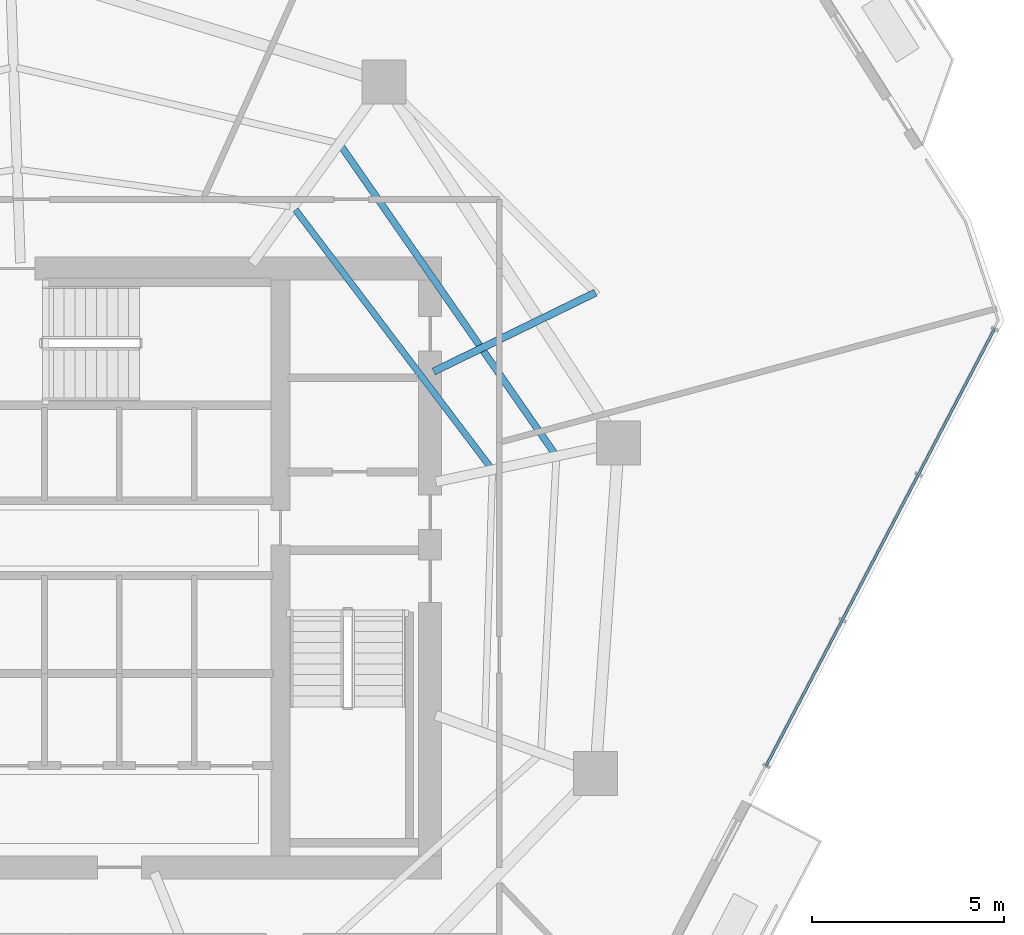
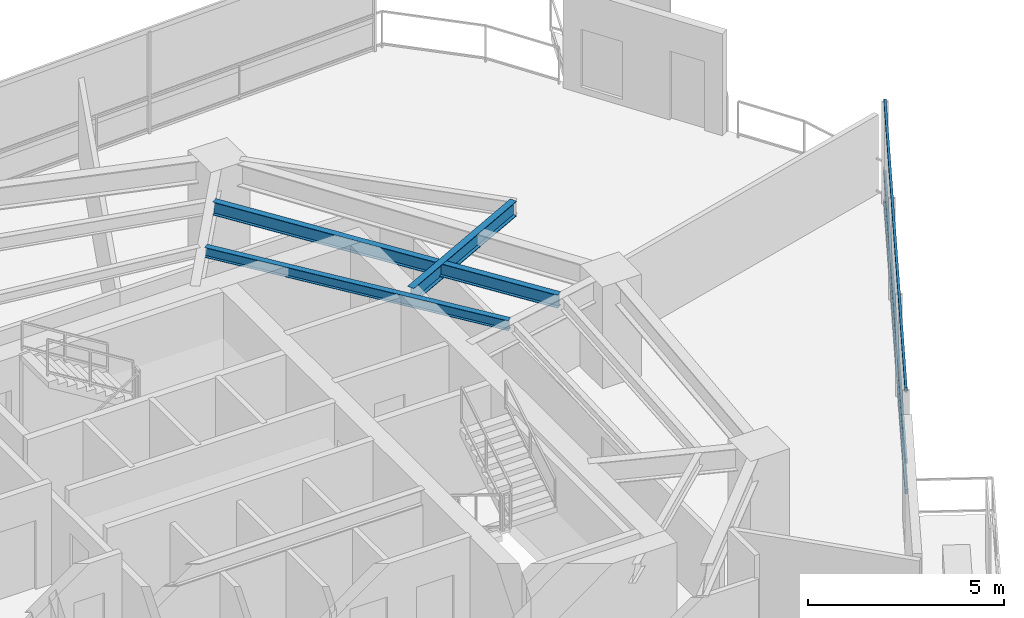
# One storey, part 12 of 25: 3 beams, 3 members, 1 element without a shape of its own.
"""IFC4 building model written with IfcOpenShell, lengths in metres."""

from ifc_helpers import new_model, si_unit, direction, frame, origin, origin_2d, place, context, subcontext, project, spatial, hollow_rectangle, i_section, extrude, material, layer, layer_set, material_profile, profile_set, type_object, element, aggregate, save


model = new_model("IFC4")

# Units and contexts
model_context = context("Model", 3, precision=1e-05, world=origin(), true_north=direction((0.0, 1.0)))
body_context = subcontext(model_context, "Body", "Model", "MODEL_VIEW")
ifc_project = project(units=[si_unit("LENGTHUNIT", "METRE"), si_unit("AREAUNIT", "SQUARE_METRE"), si_unit("VOLUMEUNIT", "CUBIC_METRE"), si_unit("PLANEANGLEUNIT", "RADIAN"), si_unit("MASSUNIT", "GRAM", prefix="KILO")], contexts=[model_context])

# Site, building, storey
site_placement = place(None, origin())
site = spatial("IfcSite", under=ifc_project, at=site_placement, CompositionType="ELEMENT")
building_placement = place(site_placement, origin())
building = spatial("IfcBuilding", under=site, at=building_placement, Name="Qarnah Convention Tower", CompositionType="ELEMENT")
storey_placement = place(building_placement, frame((0.0, 0.0, 76.35009765625)))
storey = spatial("IfcBuildingStorey", under=building, at=storey_placement, Name="L19", CompositionType="ELEMENT", Elevation=76.35009765625)

# Beams
ifc_material_1 = material(Name="Structural steel S355JR", Category="steel")
ifc_material_profile_1 = material_profile(ifc_material_1, i_section(OverallWidth=0.19189453125, OverallDepth=0.464111328125, WebThickness=0.010986328125, FlangeThickness=0.01806640625, at=origin_2d()), Name="W460X89")
ifc_profile_set_1 = profile_set([ifc_material_profile_1], Name="Structural steel S355JR")
beam_type_1 = type_object("IfcBeamType", Name="BM-CANT-W460A", PredefinedType="BEAM", material=ifc_profile_set_1)
beam_1_placement = place(storey_placement, frame((47.68994140625, 31.51611328125, 2.93798828125), z_axis=(0.898872044655, 0.438211190339, 0.0), x_axis=(-0.438211190339, 0.898872044655, 0.0)))
element("IfcBeam", 1, at=beam_1_placement, inside=storey, type_object=beam_type_1, Name="L19 beam BM-L19-CNT-01-2", PredefinedType="BEAM", context=body_context, shape_type="SweptSolid", body=[
    extrude(i_section(OverallWidth=0.19189453125, OverallDepth=0.464111328125, WebThickness=0.010986328125, FlangeThickness=0.01806640625, at=origin_2d()), origin(), (0.0, 0.0, 1.0), 4.687255859375),
])
ifc_material_profile_2 = material_profile(ifc_material_1, i_section(OverallWidth=0.166015625, OverallDepth=0.31201171875, WebThickness=0.007080078125, FlangeThickness=0.010986328125, at=origin_2d()), Name="W310X45")
ifc_profile_set_2 = profile_set([ifc_material_profile_2], Name="Structural steel S355JR")
beam_type_2 = type_object("IfcBeamType", Name="BM-JST-W310", PredefinedType="JOIST", material=ifc_profile_set_2)
beam_2_placement = place(storey_placement, frame((49.166015625, 29.027099609375, 3.013916015625), z_axis=(-0.60383365837, 0.797110351846, 0.0), x_axis=(-0.797110351846, -0.60383365837, 0.0)))
element("IfcBeam", 2, at=beam_2_placement, inside=storey, type_object=beam_type_2, Name="L19 joist BM-L19-IJST-01", PredefinedType="JOIST", context=body_context, shape_type="SweptSolid", body=[
    extrude(i_section(OverallWidth=0.166015625, OverallDepth=0.31201171875, WebThickness=0.007080078125, FlangeThickness=0.010986328125, at=origin_2d()), origin(), (0.0, 0.0, 1.0), 8.411376953125),
])
ifc_material_profile_3 = material_profile(ifc_material_1, i_section(OverallWidth=0.177978515625, OverallDepth=0.407958984375, WebThickness=0.008056640625, FlangeThickness=0.012939453125, at=origin_2d()), Name="W410X60")
ifc_profile_set_3 = profile_set([ifc_material_profile_3], Name="Structural steel S355JR")
beam_type_3 = type_object("IfcBeamType", Name="BM-JST-W410", PredefinedType="JOIST", material=ifc_profile_set_3)
beam_3_placement = place(storey_placement, frame((50.8369140625, 29.384033203125, 2.9658203125), z_axis=(-0.57026424233, 0.821461316144, 0.0), x_axis=(-0.821461316144, -0.57026424233, 0.0)))
element("IfcBeam", 3, at=beam_3_placement, inside=storey, type_object=beam_type_3, Name="L19 joist BM-L19-SJST-01", PredefinedType="JOIST", context=body_context, shape_type="SweptSolid", body=[
    extrude(i_section(OverallWidth=0.177978515625, OverallDepth=0.407958984375, WebThickness=0.008056640625, FlangeThickness=0.012939453125, at=origin_2d()), origin(), (0.0, 0.0, 1.0), 9.737548828125),
])

# Curtain wall, members
ifc_material_2 = material(Name="Tempered Low-E dark glass", Category="glass")
ifc_layer = layer(ifc_material_2, 0.169921875)
ifc_layer_set = layer_set([ifc_layer], Name="Tempered Low-E dark glass")
curtain_wall_type = type_object("IfcCurtainWallType", Name="CWS-02", PredefinedType="NOTDEFINED", material=ifc_layer_set)
curtain_wall_placement = place(storey_placement, origin())
curtain_wall = element("IfcCurtainWall", 4, at=curtain_wall_placement, inside=storey, type_object=curtain_wall_type, Name="L19 unitised curtain wall CW-L19-F1", PredefinedType="NOTDEFINED")
ifc_material_3 = material(Name="Black anodised aluminium", Category="aluminium")
ifc_material_profile_4 = material_profile(ifc_material_3, hollow_rectangle(XDim=0.06494140625, YDim=0.14990234375, WallThickness=0.00390625, at=origin_2d()), Name="TRN-65X150")
ifc_profile_set_4 = profile_set([ifc_material_profile_4], Name="Black anodised aluminium")
member_type = type_object("IfcMemberType", Name="TRN-T2", PredefinedType="USERDEFINED", material=ifc_profile_set_4)
member_1_placement = place(storey_placement, frame((62.303955078125, 32.6259765625, 0.0), z_axis=(-0.463307145112, -0.886197770979, 0.0), x_axis=(0.886197770979, -0.463307145112, 0.0)))
member_1 = element("IfcMember", 5, at=member_1_placement, type_object=member_type, Name="CW-L19-F1 transom 1", ObjectType="TRANSOM", PredefinedType="USERDEFINED", context=body_context, shape_type="SweptSolid", body=[
    extrude(hollow_rectangle(XDim=0.06494140625, YDim=0.14990234375, WallThickness=0.00390625, at=origin_2d()), origin(), (0.0, 0.0, 1.0), 12.84228515625),
])
member_2_placement = place(storey_placement, frame((62.303955078125, 32.6259765625, 0.949951171875), z_axis=(-0.463307145112, -0.886197770979, 0.0), x_axis=(0.886197770979, -0.463307145112, 0.0)))
member_2 = element("IfcMember", 6, at=member_2_placement, type_object=member_type, Name="CW-L19-F1 transom 2", ObjectType="TRANSOM", PredefinedType="USERDEFINED", context=body_context, shape_type="SweptSolid", body=[
    extrude(hollow_rectangle(XDim=0.06494140625, YDim=0.14990234375, WallThickness=0.00390625, at=origin_2d()), origin(), (0.0, 0.0, 1.0), 12.84228515625),
])
member_3_placement = place(storey_placement, frame((62.303955078125, 32.6259765625, 3.169921875), z_axis=(-0.463307145112, -0.886197770979, 0.0), x_axis=(0.886197770979, -0.463307145112, 0.0)))
member_3 = element("IfcMember", 7, at=member_3_placement, type_object=member_type, Name="CW-L19-F1 transom 3", ObjectType="TRANSOM", PredefinedType="USERDEFINED", context=body_context, shape_type="SweptSolid", body=[
    extrude(hollow_rectangle(XDim=0.06494140625, YDim=0.14990234375, WallThickness=0.00390625, at=origin_2d()), origin(), (0.0, 0.0, 1.0), 12.84228515625),
])
aggregate(curtain_wall, [member_1, member_2, member_3])

save(model, "model.ifc")
